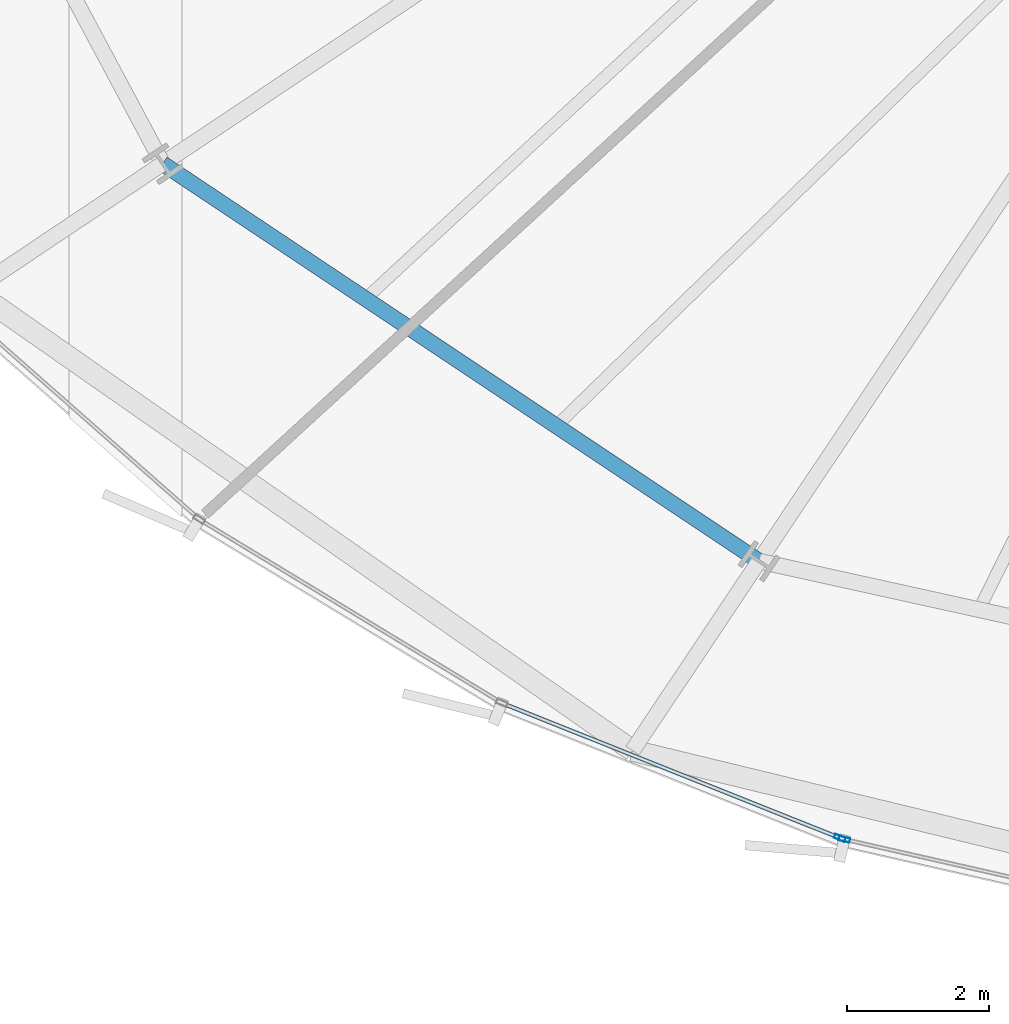
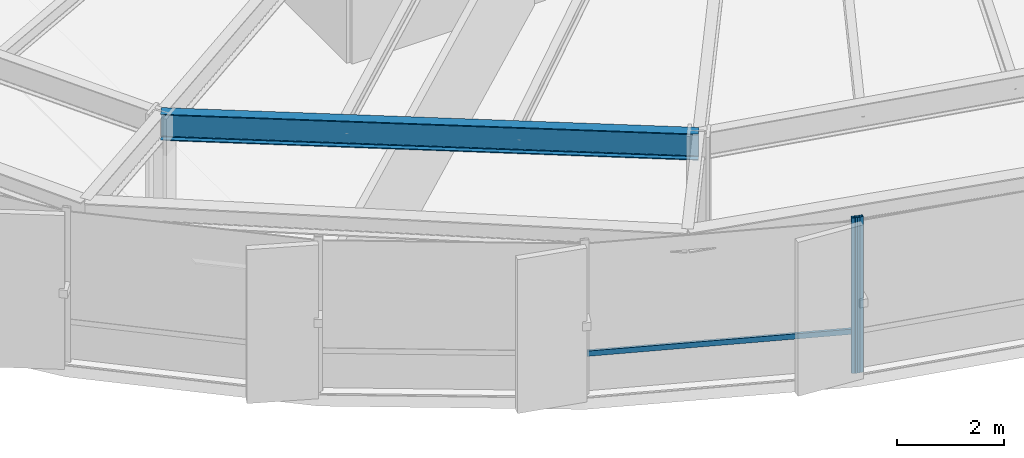
# One storey, part 4 of 38: 3 members, 1 beam, 2 elements without a shape of their own.
"""IFC4 building model written with IfcOpenShell, lengths in metres."""

from ifc_helpers import new_model, si_unit, direction, frame, origin, origin_2d, place, context, subcontext, project, spatial, hollow_rectangle, i_section, extrude, source, transform, mapped, material, layer, layer_set, material_profile, profile_set, type_object, element, aggregate, save


model = new_model("IFC4")

# Units and contexts
model_context = context("Model", 3, precision=1e-05, world=origin(), true_north=direction((0.0, 1.0)))
body_context = subcontext(model_context, "Body", "Model", "MODEL_VIEW")
ifc_project = project(units=[si_unit("LENGTHUNIT", "METRE"), si_unit("AREAUNIT", "SQUARE_METRE"), si_unit("VOLUMEUNIT", "CUBIC_METRE"), si_unit("PLANEANGLEUNIT", "RADIAN"), si_unit("MASSUNIT", "GRAM", prefix="KILO"), si_unit("THERMODYNAMICTEMPERATUREUNIT", "KELVIN")], contexts=[model_context])

# Site, building, storey
site_placement = place(None, origin())
site = spatial("IfcSite", under=ifc_project, at=site_placement, CompositionType="ELEMENT")
building_placement = place(site_placement, origin())
building = spatial("IfcBuilding", under=site, at=building_placement, Name="Kethvar Cultural Tower", CompositionType="ELEMENT")
storey_placement = place(building_placement, frame((0.0, 0.0, 63.800048828125)))
storey = spatial("IfcBuildingStorey", under=building, at=storey_placement, Name="L15", CompositionType="ELEMENT", Elevation=63.800048828125)

# Beam
ifc_material_1 = material(Name="Steel S355J2", Category="steel")
ifc_material_profile_1 = material_profile(ifc_material_1, i_section(OverallWidth=0.219970703125, OverallDepth=0.60009765625, WebThickness=0.011962890625, FlangeThickness=0.01904296875, FilletRadius=0.02392578125, at=origin_2d()), Name="Steel S355J2 — IPE600")
ifc_profile_set_1 = profile_set([ifc_material_profile_1], Name="Steel S355J2 — IPE600")
beam_type = type_object("IfcBeamType", Name="BM-IPE600", PredefinedType="BEAM", material=ifc_profile_set_1)
shared_shape_1 = source(origin(), body_context, "Body", "SweptSolid", [
    extrude(i_section(OverallWidth=0.219970703125, OverallDepth=0.60009765625, WebThickness=0.011962890625, FlangeThickness=0.01904296875, FilletRadius=0.02392578125, at=origin_2d()), origin(), (0.0, 0.0, 1.0), 10.06787109375),
])
beam_placement = place(storey_placement, frame((24.9248046875, 13.183349609375, 3.248046875), z_axis=(0.832065216665, -0.554677812083, 0.0), x_axis=(0.554677812083, 0.832065216665, 0.0)))
element("IfcBeam", 1, at=beam_placement, inside=storey, type_object=beam_type, Name="L15 Column Ring Tie Beam CR-10", PredefinedType="BEAM", context=body_context, shape_type="MappedRepresentation", body=[
    mapped(shared_shape_1, transform((0.0, 0.0, 0.0), scale=1.0)),
])

# Curtain wall, member
ifc_material_2 = material(Name="Aluminium 6063-T6", Category="aluminium")
ifc_layer = layer(ifc_material_2, 0.179931640625, Name="Aluminium 6063-T6", Category="aluminium")
ifc_layer_set = layer_set([ifc_layer], Name="Aluminium 6063-T6 (180 mm)")
curtain_wall_type = type_object("IfcCurtainWallType", Name="CW-SYS-02-Z1", PredefinedType="NOTDEFINED", material=ifc_layer_set)
curtain_wall_1_placement = place(storey_placement, origin())
curtain_wall_1 = element("IfcCurtainWall", 2, at=curtain_wall_1_placement, inside=storey, type_object=curtain_wall_type, Name="L15 Curtain Wall Run 04", PredefinedType="NOTDEFINED")
ifc_material_profile_2 = material_profile(ifc_material_2, hollow_rectangle(XDim=0.06494140625, YDim=0.159912109375, WallThickness=0.0048828125, at=origin_2d()), Name="Aluminium 6063-T6 — RHS160x65x5")
ifc_profile_set_2 = profile_set([ifc_material_profile_2], Name="Aluminium 6063-T6 — RHS160x65x5")
member_type_1 = type_object("IfcMemberType", Name="CW-SYS-02-Z1-MUL", PredefinedType="MULLION", material=ifc_profile_set_2)
shared_shape_2 = source(origin(), body_context, "Body", "SweptSolid", [
    extrude(hollow_rectangle(XDim=0.06494140625, YDim=0.159912109375, WallThickness=0.0048828125, at=origin_2d()), origin(), (0.0, 0.0, 1.0), 3.550048828125),
])
member_1_placement = place(storey_placement, frame((34.4365234375, 3.7109375, 0.0), z_axis=(0.0, 0.0, 1.0), x_axis=(0.370654700187, 0.928770743095, 0.0)))
member_1 = element("IfcMember", 3, at=member_1_placement, type_object=member_type_1, Name="CW-L15-R04 Mullion 7", PredefinedType="MULLION", context=body_context, shape_type="MappedRepresentation", body=[
    mapped(shared_shape_2, transform((0.0, 0.0, 0.0), scale=1.0)),
])

curtain_wall_2_placement = place(storey_placement, origin())
curtain_wall_2 = element("IfcCurtainWall", 4, at=curtain_wall_2_placement, inside=storey, type_object=curtain_wall_type, Name="L15 Curtain Wall Run 05", PredefinedType="NOTDEFINED")
member_2_placement = place(storey_placement, frame((34.4990234375, 3.69140625, 0.0), z_axis=(0.0, 0.0, 1.0), x_axis=(0.221888875454, 0.975071959883, 0.0)))
member_2 = element("IfcMember", 5, at=member_2_placement, type_object=member_type_1, Name="CW-L15-R05 Mullion 1", PredefinedType="MULLION", context=body_context, shape_type="MappedRepresentation", body=[
    mapped(shared_shape_2, transform((0.0, 0.0, 0.0), scale=1.0)),
])
aggregate(curtain_wall_2, [member_2])

# Member
ifc_material_profile_3 = material_profile(ifc_material_2, hollow_rectangle(XDim=0.054931640625, YDim=0.1201171875, WallThickness=0.00390625, at=origin_2d()), Name="Aluminium 6063-T6 — RHS120x55x4")
ifc_profile_set_3 = profile_set([ifc_material_profile_3], Name="Aluminium 6063-T6 — RHS120x55x4")
member_type_2 = type_object("IfcMemberType", Name="CW-SYS-02-Z1-TRN", PredefinedType="USERDEFINED", material=ifc_profile_set_3)
shared_shape_3 = source(origin(), body_context, "Body", "SweptSolid", [
    extrude(hollow_rectangle(XDim=0.054931640625, YDim=0.1201171875, WallThickness=0.00390625, at=origin_2d()), origin(), (0.0, 0.0, 1.0), 5.062255859375),
])
member_3_placement = place(storey_placement, frame((29.730712890625, 5.589111328125, 0.949951171875), z_axis=(0.92876245363, -0.3706754709, 0.0), x_axis=(0.3706754709, 0.92876245363, 0.0)))
member_3 = element("IfcMember", 6, at=member_3_placement, type_object=member_type_2, Name="CW-L15-R04 Transom 6", ObjectType="TRANSOM", PredefinedType="USERDEFINED", context=body_context, shape_type="MappedRepresentation", body=[
    mapped(shared_shape_3, transform((0.0, 0.0, 0.0), scale=1.0)),
])

aggregate(curtain_wall_1, [member_1, member_3])

save(model, "model.ifc")
